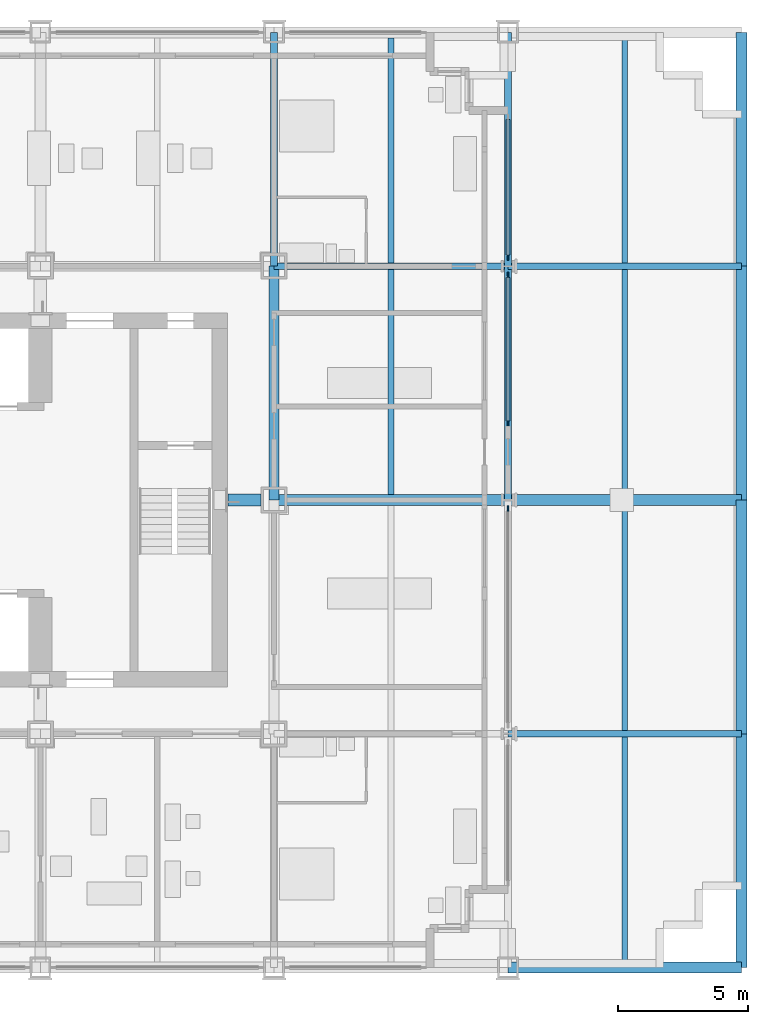
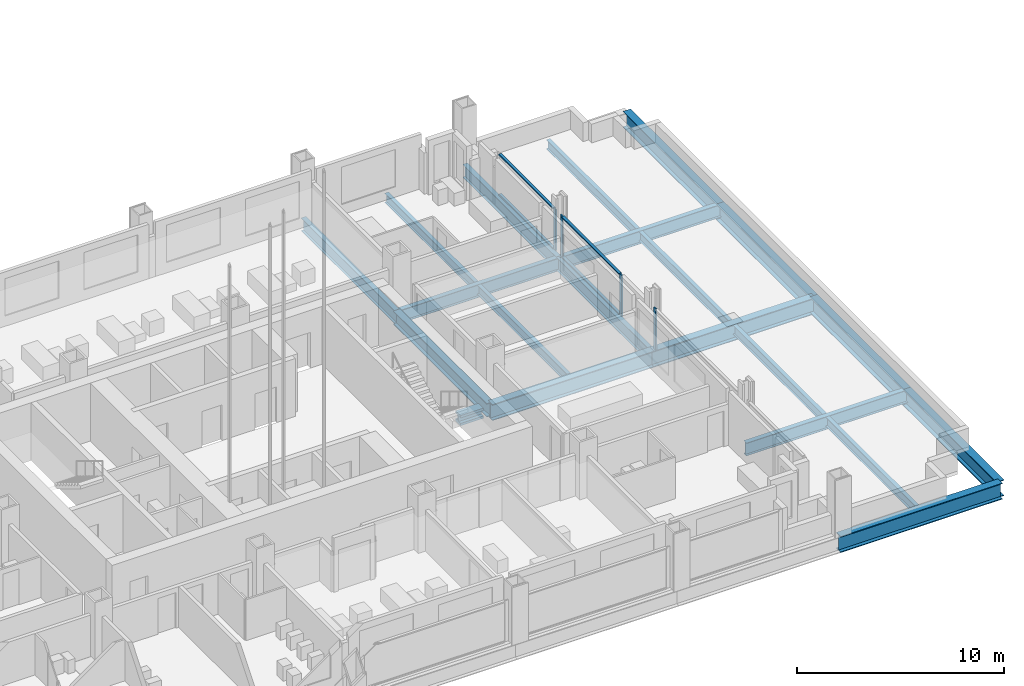
# One storey, part 6 of 19: 20 beams, 9 members, 3 elements without a shape of their own.
"""IFC4 building model written with IfcOpenShell, lengths in metres."""

from ifc_helpers import new_model, si_unit, direction, frame, origin, origin_2d, place, context, subcontext, project, spatial, rectangle, i_section, extrude, material, material_profile, profile_set, type_object, element, aggregate, save


model = new_model("IFC4")

# Units and contexts
model_context = context("Model", 3, precision=1e-05, world=origin(), true_north=direction((0.0, 1.0)))
body_context = subcontext(model_context, "Body", "Model", "MODEL_VIEW")
ifc_project = project(units=[si_unit("LENGTHUNIT", "METRE"), si_unit("AREAUNIT", "SQUARE_METRE"), si_unit("VOLUMEUNIT", "CUBIC_METRE"), si_unit("PLANEANGLEUNIT", "RADIAN"), si_unit("MASSUNIT", "GRAM", prefix="KILO")], contexts=[model_context])

# Site, building, storey
site_placement = place(None, origin())
site = spatial("IfcSite", under=ifc_project, at=site_placement, CompositionType="ELEMENT")
building_placement = place(site_placement, origin())
building = spatial("IfcBuilding", under=site, at=building_placement, Name="Loomwork Tower", CompositionType="ELEMENT")
storey_placement = place(building_placement, frame((0.0, 0.0, 94.199951171875)))
storey = spatial("IfcBuildingStorey", under=building, at=storey_placement, Name="L24", CompositionType="ELEMENT", Elevation=94.199951171875)

# Beams
ifc_material_1 = material(Name="Steel ASTM A992", Category="steel")
ifc_material_profile_1 = material_profile(ifc_material_1, i_section(OverallWidth=0.424072265625, OverallDepth=0.947509765625, WebThickness=0.02392578125, FlangeThickness=0.042724609375, at=origin_2d()), Name="W36x302")
ifc_profile_set_1 = profile_set([ifc_material_profile_1], Name="Steel ASTM A992")
beam_type_1 = type_object("IfcBeamType", Name="BELT CHORD SPANDREL W36x302", PredefinedType="SPANDREL", material=ifc_profile_set_1)
for number, where, z_axis, x_axis, name in (
    (1, (45.0, 0.0, -0.673583984375), (1.0, 0.0, 0.0), (0.0, 1.0, 0.0), "Belt Chord Spandrel D/7-D/8 L24"),
    (2, (54.0, 0.0, -0.673583984375), (0.0, 1.0, 0.0), (-1.0, 0.0, 0.0), "Belt Chord Spandrel D/8-E/8 L24"),
    (3, (54.0, 9.0, -0.673583984375), (0.0, 1.0, 0.0), (-1.0, 0.0, 0.0), "Belt Chord Spandrel E/8-F/8 L24"),
    (4, (54.0, 18.0, -0.673583984375), (0.0, 1.0, 0.0), (-1.0, 0.0, 0.0), "Belt Chord Spandrel F/8-G/8 L24"),
    (5, (54.0, 27.0, -0.673583984375), (0.0, 1.0, 0.0), (-1.0, 0.0, 0.0), "Belt Chord Spandrel G/8-H/8 L24"),
):
    element("IfcBeam", number, at=place(storey_placement, frame(where, z_axis=z_axis, x_axis=x_axis)), inside=storey, type_object=beam_type_1, Name=name, PredefinedType="SPANDREL", context=body_context, shape_type="SweptSolid", body=[
        extrude(i_section(OverallWidth=0.424072265625, OverallDepth=0.947509765625, WebThickness=0.02392578125, FlangeThickness=0.042724609375, at=origin_2d()), origin(), (0.0, 0.0, 1.0), 9.0),
    ])
ifc_material_2 = material(Name="Steel ASTM A992", Category="steel")
ifc_material_profile_2 = material_profile(ifc_material_2, i_section(OverallWidth=0.383544921875, OverallDepth=0.794921875, WebThickness=0.02099609375, FlangeThickness=0.0380859375, at=origin_2d()), Name="W30x235")
ifc_profile_set_2 = profile_set([ifc_material_profile_2], Name="Steel ASTM A992")
beam_type_2 = type_object("IfcBeamType", Name="CORE FLANK GIRDER W30x235", PredefinedType="BEAM", material=ifc_profile_set_2)
beam_placement = place(storey_placement, frame((36.0, 18.0, -0.597412109375), z_axis=(0.0, 1.0, 0.0), x_axis=(-1.0, 0.0, 0.0)))
element("IfcBeam", 6, at=beam_placement, inside=storey, type_object=beam_type_2, Name="Core Flank Girder F/6-G/6 L24", PredefinedType="BEAM", context=body_context, shape_type="SweptSolid", body=[
    extrude(i_section(OverallWidth=0.383544921875, OverallDepth=0.794921875, WebThickness=0.02099609375, FlangeThickness=0.0380859375, at=origin_2d()), origin(), (0.0, 0.0, 1.0), 9.0),
])
ifc_material_3 = material(Name="Steel ASTM A992", Category="steel")
ifc_material_profile_3 = material_profile(ifc_material_3, i_section(OverallWidth=0.2666015625, OverallDepth=0.761962890625, WebThickness=0.014404296875, FlangeThickness=0.021484375, at=origin_2d()), Name="W30x116")
ifc_profile_set_3 = profile_set([ifc_material_profile_3], Name="Steel ASTM A992")
beam_type_3 = type_object("IfcBeamType", Name="FLOOR GIRDER W30x116", PredefinedType="BEAM", material=ifc_profile_set_3)
for number, where, z_axis, x_axis, name in (
    (7, (45.0, 9.0, -0.5810546875), (1.0, 0.0, 0.0), (0.0, 1.0, 0.0), "Floor Girder E/7-E/8 L24"),
    (8, (36.0, 27.0, -0.5810546875), (1.0, 0.0, 0.0), (0.0, 1.0, 0.0), "Floor Girder G/6-G/7 L24"),
    (9, (45.0, 27.0, -0.5810546875), (1.0, 0.0, 0.0), (0.0, 1.0, 0.0), "Floor Girder G/7-G/8 L24"),
    (10, (36.0, 27.0, -0.5810546875), (0.0, 1.0, 0.0), (-1.0, 0.0, 0.0), "Floor Girder G/6-H/6 L24"),
    (11, (45.0, 18.0, -0.5810546875), (0.0, 1.0, 0.0), (-1.0, 0.0, 0.0), "Floor Girder F/7-G/7 L24"),
    (12, (45.0, 27.0, -0.5810546875), (0.0, 1.0, 0.0), (-1.0, 0.0, 0.0), "Floor Girder G/7-H/7 L24"),
):
    element("IfcBeam", number, at=place(storey_placement, frame(where, z_axis=z_axis, x_axis=x_axis)), inside=storey, type_object=beam_type_3, Name=name, PredefinedType="BEAM", context=body_context, shape_type="SweptSolid", body=[
        extrude(i_section(OverallWidth=0.2666015625, OverallDepth=0.761962890625, WebThickness=0.014404296875, FlangeThickness=0.021484375, at=origin_2d()), origin(), (0.0, 0.0, 1.0), 9.0),
    ])
ifc_material_4 = material(Name="Steel ASTM A992", Category="steel")
ifc_material_profile_4 = material_profile(ifc_material_4, i_section(OverallWidth=0.21240234375, OverallDepth=0.54345703125, WebThickness=0.01318359375, FlangeThickness=0.021240234375, at=origin_2d()), Name="W21x83")
ifc_profile_set_4 = profile_set([ifc_material_profile_4], Name="Steel ASTM A992")
beam_type_4 = type_object("IfcBeamType", Name="FLOOR JOIST W21x83", PredefinedType="JOIST", material=ifc_profile_set_4)
for number, where, z_axis, x_axis, name in (
    (13, (40.5, 18.2119140625, -0.4716796875), (0.0, 1.0, 0.0), (-1.0, 0.0, 0.0), "Floor Joist 40.500,18.000-40.500,27.000 L24"),
    (14, (40.5, 27.133056640625, -0.4716796875), (0.0, 1.0, 0.0), (-1.0, 0.0, 0.0), "Floor Joist 40.500,27.000-40.500,36.000 L24"),
    (15, (49.5, 0.2119140625, -0.4716796875), (0.0, 1.0, 0.0), (-1.0, 0.0, 0.0), "Floor Joist 49.500,0.000-49.500,9.000 L24"),
    (16, (49.5, 9.133056640625, -0.4716796875), (0.0, 1.0, 0.0), (-1.0, 0.0, 0.0), "Floor Joist 49.500,9.000-49.500,18.000 L24"),
    (17, (49.5, 18.2119140625, -0.4716796875), (0.0, 1.0, 0.0), (-1.0, 0.0, 0.0), "Floor Joist 49.500,18.000-49.500,27.000 L24"),
    (18, (49.5, 27.133056640625, -0.4716796875), (0.0, 1.0, 0.0), (-1.0, 0.0, 0.0), "Floor Joist 49.500,27.000-49.500,36.000 L24"),
):
    element("IfcBeam", number, at=place(storey_placement, frame(where, z_axis=z_axis, x_axis=x_axis)), inside=storey, type_object=beam_type_4, Name=name, PredefinedType="JOIST", context=body_context, shape_type="SweptSolid", body=[
        extrude(i_section(OverallWidth=0.21240234375, OverallDepth=0.54345703125, WebThickness=0.01318359375, FlangeThickness=0.021240234375, at=origin_2d()), origin(), (0.0, 0.0, 1.0), 8.655029296875),
    ])
ifc_material_5 = material(Name="Steel ASTM A992", Category="steel")
ifc_material_profile_5 = material_profile(ifc_material_5, i_section(OverallWidth=0.424072265625, OverallDepth=0.947509765625, WebThickness=0.02392578125, FlangeThickness=0.042724609375, at=origin_2d()), Name="W36x302")
ifc_profile_set_5 = profile_set([ifc_material_profile_5], Name="Steel ASTM A992")
beam_type_5 = type_object("IfcBeamType", Name="OUTRIGGER GIRDER W36x302", PredefinedType="BEAM", material=ifc_profile_set_5)
for number, where, z_axis, x_axis, name in (
    (19, (36.0, 18.0, -0.673583984375), (1.0, 0.0, 0.0), (0.0, 1.0, 0.0), "Outrigger Girder F/6-F/7 L24"),
    (20, (45.0, 18.0, -0.673583984375), (1.0, 0.0, 0.0), (0.0, 1.0, 0.0), "Outrigger Girder F/7-F/8 L24"),
):
    element("IfcBeam", number, at=place(storey_placement, frame(where, z_axis=z_axis, x_axis=x_axis)), inside=storey, type_object=beam_type_5, Name=name, PredefinedType="BEAM", context=body_context, shape_type="SweptSolid", body=[
        extrude(i_section(OverallWidth=0.424072265625, OverallDepth=0.947509765625, WebThickness=0.02392578125, FlangeThickness=0.042724609375, at=origin_2d()), origin(), (0.0, 0.0, 1.0), 9.0),
    ])

# Member
ifc_material_6 = material(Name="Steel ASTM A992", Category="steel")
ifc_material_profile_6 = material_profile(ifc_material_6, i_section(OverallWidth=0.4775390625, OverallDepth=0.599365234375, WebThickness=0.10009765625, FlangeThickness=0.139892578125, at=origin_2d()), Name="W14x873")
ifc_profile_set_6 = profile_set([ifc_material_profile_6], Name="Steel ASTM A992")
member_type_1 = type_object("IfcMemberType", Name="OUTRIGGER STRUT W14x873", PredefinedType="STRUT", material=ifc_profile_set_6)
member_1_placement = place(storey_placement, frame((35.489990234375, 18.0, -0.499755859375), z_axis=(-1.0, 0.0, 0.0), x_axis=(0.0, -1.0, 0.0)))
element("IfcMember", 21, at=member_1_placement, inside=storey, type_object=member_type_1, Name="Outrigger strut F/6-33.900,18.000 L24", PredefinedType="STRUT", context=body_context, shape_type="SweptSolid", body=[
    extrude(i_section(OverallWidth=0.4775390625, OverallDepth=0.599365234375, WebThickness=0.10009765625, FlangeThickness=0.139892578125, at=origin_2d()), origin(), (0.0, 0.0, 1.0), 1.27490234375),
])

# Curtain wall, member
ifc_material_7 = material(Name="Aluminium curtain wall frame", Category="aluminium")
curtain_wall_type = type_object("IfcCurtainWallType", Name="Outer skin glazing hotel", PredefinedType="NOTDEFINED", material=ifc_material_7)
curtain_wall_1_placement = place(storey_placement, origin())
curtain_wall_1 = element("IfcCurtainWall", 22, at=curtain_wall_1_placement, inside=storey, type_object=curtain_wall_type, Name="Outer skin glazing hotel cw/E-9", PredefinedType="NOTDEFINED")
ifc_material_8 = material(Name="Aluminium curtain wall frame", Category="aluminium")
ifc_material_profile_7 = material_profile(ifc_material_8, rectangle(XDim=0.06494140625, YDim=0.199951171875, at=origin_2d()), Name="AL 65x200")
ifc_profile_set_7 = profile_set([ifc_material_profile_7], Name="Aluminium curtain wall frame")
member_type_2 = type_object("IfcMemberType", Name="Outer skin glazing hotel mullion", PredefinedType="MULLION", material=ifc_profile_set_7)
member_2_placement = place(storey_placement, frame((45.0, 17.67529296875, 0.0), z_axis=(0.0, 0.0, 1.0), x_axis=(-1.0, 0.0, 0.0)))
member_2 = element("IfcMember", 23, at=member_2_placement, type_object=member_type_2, Name="CW1 mullion 2", PredefinedType="MULLION", context=body_context, shape_type="SweptSolid", body=[
    extrude(rectangle(XDim=0.06494140625, YDim=0.199951171875, at=origin_2d()), origin(), (0.0, 0.0, 1.0), 2.420166015625),
])
aggregate(curtain_wall_1, [member_2])

# Curtain wall, members
curtain_wall_2_placement = place(storey_placement, origin())
curtain_wall_2 = element("IfcCurtainWall", 24, at=curtain_wall_2_placement, inside=storey, type_object=curtain_wall_type, Name="Outer skin glazing hotel cw/E-18", PredefinedType="NOTDEFINED")
member_3_placement = place(storey_placement, frame((45.0, 20.949951171875, 0.0), z_axis=(0.0, 0.0, 1.0), x_axis=(-1.0, 0.0, 0.0)))
member_3 = element("IfcMember", 25, at=member_3_placement, type_object=member_type_2, Name="CW1 mullion 1", PredefinedType="MULLION", context=body_context, shape_type="SweptSolid", body=[
    extrude(rectangle(XDim=0.06494140625, YDim=0.199951171875, at=origin_2d()), origin(), (0.0, 0.0, 1.0), 2.420166015625),
])
member_4_placement = place(storey_placement, frame((45.0, 26.67529296875, 0.0), z_axis=(0.0, 0.0, 1.0), x_axis=(-1.0, 0.0, 0.0)))
member_4 = element("IfcMember", 26, at=member_4_placement, type_object=member_type_2, Name="CW1 mullion 2", PredefinedType="MULLION", context=body_context, shape_type="SweptSolid", body=[
    extrude(rectangle(XDim=0.06494140625, YDim=0.199951171875, at=origin_2d()), origin(), (0.0, 0.0, 1.0), 2.420166015625),
])

# Curtain wall, member
curtain_wall_3_placement = place(storey_placement, origin())
curtain_wall_3 = element("IfcCurtainWall", 27, at=curtain_wall_3_placement, inside=storey, type_object=curtain_wall_type, Name="Outer skin glazing hotel cw/E-27", PredefinedType="NOTDEFINED")
member_5_placement = place(storey_placement, frame((45.0, 27.32470703125, 0.0), z_axis=(0.0, 0.0, 1.0), x_axis=(-1.0, 0.0, 0.0)))
member_5 = element("IfcMember", 28, at=member_5_placement, type_object=member_type_2, Name="CW1 mullion 1", PredefinedType="MULLION", context=body_context, shape_type="SweptSolid", body=[
    extrude(rectangle(XDim=0.06494140625, YDim=0.199951171875, at=origin_2d()), origin(), (0.0, 0.0, 1.0), 2.420166015625),
])

# Member
ifc_material_9 = material(Name="Aluminium curtain wall frame", Category="aluminium")
ifc_material_profile_8 = material_profile(ifc_material_9, rectangle(XDim=0.14990234375, YDim=0.06494140625, at=origin_2d()), Name="AL 65x150")
ifc_profile_set_8 = profile_set([ifc_material_profile_8], Name="Aluminium curtain wall frame")
member_type_3 = type_object("IfcMemberType", Name="Outer skin glazing hotel transom", PredefinedType="USERDEFINED", material=ifc_profile_set_8)
member_6_placement = place(storey_placement, frame((45.0, 21.050048828125, 0.032470703125), z_axis=(0.0, 1.0, 0.0), x_axis=(-1.0, 0.0, 0.0)))
member_6 = element("IfcMember", 29, at=member_6_placement, type_object=member_type_3, Name="CW1 transom 1.1", ObjectType="TRANSOM", PredefinedType="USERDEFINED", context=body_context, shape_type="SweptSolid", body=[
    extrude(rectangle(XDim=0.14990234375, YDim=0.06494140625, at=origin_2d()), origin(), (0.0, 0.0, 1.0), 5.525146484375),
])

member_7_placement = place(storey_placement, frame((45.0, 21.050048828125, 2.3876953125), z_axis=(0.0, 1.0, 0.0), x_axis=(-1.0, 0.0, 0.0)))
member_7 = element("IfcMember", 30, at=member_7_placement, type_object=member_type_3, Name="CW1 transom 1.2", ObjectType="TRANSOM", PredefinedType="USERDEFINED", context=body_context, shape_type="SweptSolid", body=[
    extrude(rectangle(XDim=0.14990234375, YDim=0.06494140625, at=origin_2d()), origin(), (0.0, 0.0, 1.0), 5.525146484375),
])

aggregate(curtain_wall_2, [member_3, member_4, member_6, member_7])

member_8_placement = place(storey_placement, frame((45.0, 27.4248046875, 0.032470703125), z_axis=(0.0, 1.0, 0.0), x_axis=(-1.0, 0.0, 0.0)))
member_8 = element("IfcMember", 31, at=member_8_placement, type_object=member_type_3, Name="CW1 transom 1.1", ObjectType="TRANSOM", PredefinedType="USERDEFINED", context=body_context, shape_type="SweptSolid", body=[
    extrude(rectangle(XDim=0.14990234375, YDim=0.06494140625, at=origin_2d()), origin(), (0.0, 0.0, 1.0), 5.22509765625),
])

member_9_placement = place(storey_placement, frame((45.0, 27.4248046875, 2.3876953125), z_axis=(0.0, 1.0, 0.0), x_axis=(-1.0, 0.0, 0.0)))
member_9 = element("IfcMember", 32, at=member_9_placement, type_object=member_type_3, Name="CW1 transom 1.2", ObjectType="TRANSOM", PredefinedType="USERDEFINED", context=body_context, shape_type="SweptSolid", body=[
    extrude(rectangle(XDim=0.14990234375, YDim=0.06494140625, at=origin_2d()), origin(), (0.0, 0.0, 1.0), 5.22509765625),
])

aggregate(curtain_wall_3, [member_5, member_8, member_9])

save(model, "model.ifc")
